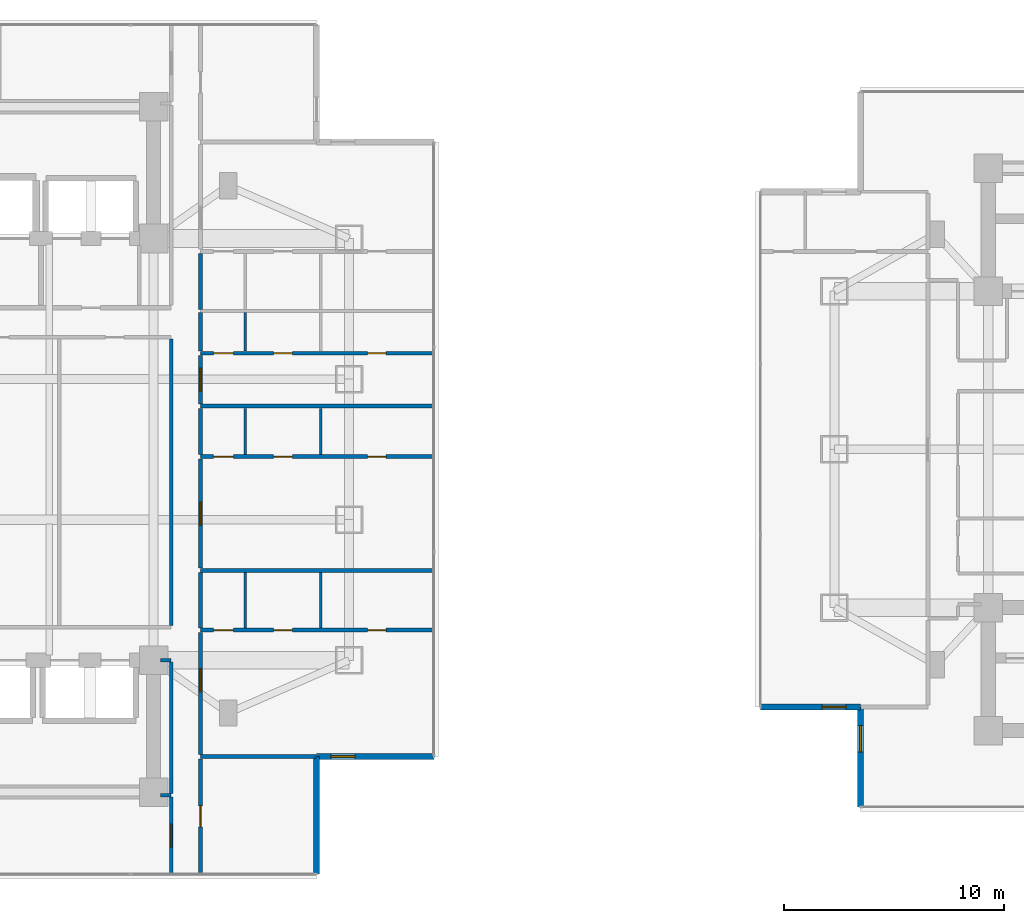
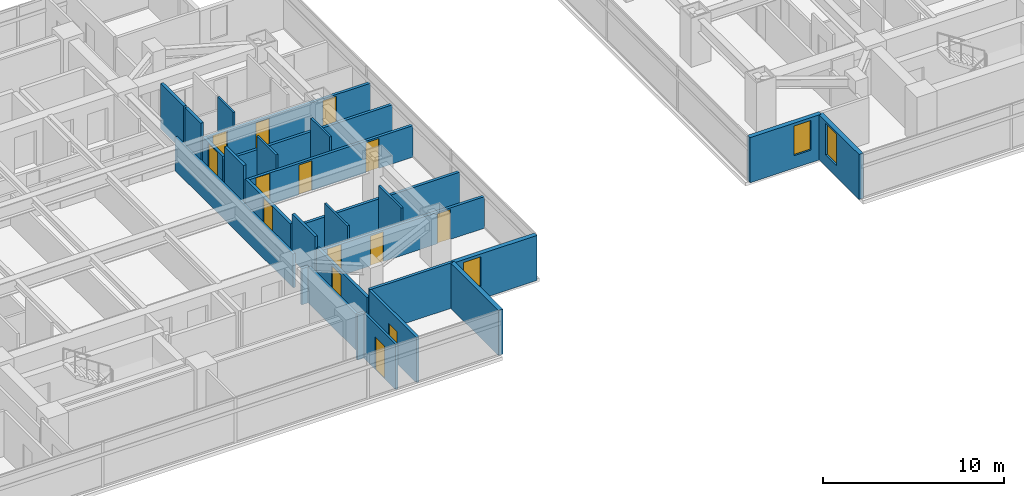
# One storey, part 15 of 24: 28 walls, 14 doors, 3 windows, 17 openings.
"""IFC4 building model written with IfcOpenShell, lengths in metres."""

from ifc_helpers import new_model, si_unit, direction, frame, frame_2d, origin, place, context, subcontext, project, spatial, rectangle, extrude, material, layer, layer_set, type_object, element, fill, save


model = new_model("IFC4")

# Units and contexts
model_context = context("Model", 3, precision=1e-05, world=origin(), true_north=direction((0.0, 1.0)))
body_context = subcontext(model_context, "Body", "Model", "MODEL_VIEW")
ifc_project = project(units=[si_unit("LENGTHUNIT", "METRE"), si_unit("AREAUNIT", "SQUARE_METRE"), si_unit("VOLUMEUNIT", "CUBIC_METRE"), si_unit("PLANEANGLEUNIT", "RADIAN"), si_unit("MASSUNIT", "GRAM", prefix="KILO")], contexts=[model_context])

# Site, building, storey
site_placement = place(None, origin())
site = spatial("IfcSite", under=ifc_project, at=site_placement, CompositionType="ELEMENT")
building_placement = place(site_placement, origin())
building = spatial("IfcBuilding", under=site, at=building_placement, Name="Mirazonda Arch Towers", CompositionType="ELEMENT")
storey_placement = place(building_placement, frame((0.0, 0.0, 71.89990234375)))
storey = spatial("IfcBuildingStorey", under=building, at=storey_placement, Name="L20", CompositionType="ELEMENT", Elevation=71.89990234375)

# Wall, opening, window
ifc_material_1 = material(Name="Precast Concrete C40/50", Category="concrete")
ifc_layer_1 = layer(ifc_material_1, 0.280029296875, Name="WALL-EXT-WALL-280")
ifc_layer_set_1 = layer_set([ifc_layer_1], Name="Precast Concrete C40/50")
wall_type_1 = type_object("IfcWallType", Name="WALL-EXT-WALL-280", PredefinedType="SOLIDWALL", material=ifc_layer_set_1)
wall_1_placement = place(storey_placement, frame((37.419921875, 14.011962890625, 0.0), z_axis=(0.0, 0.0, 1.0), x_axis=(1.0, 0.0, 0.0)))
wall_1 = element("IfcWall", 1, at=wall_1_placement, inside=storey, type_object=wall_type_1, Name="L20 T1 Corner Notch Return Wall WL-L20-T1-CSE1", PredefinedType="SOLIDWALL", context=body_context, shape_type="SweptSolid", body=[
    extrude(rectangle(XDim=5.340087890625, YDim=0.280029296875, at=frame_2d((2.669921875, 0.0))), origin(), (0.0, 0.0, 1.0), 3.0400390625),
])
opening_1_placement = place(wall_1_placement, frame((0.64990234375, 0.0, 0.85009765625)))
opening_1 = element("IfcOpeningElement", 2, at=opening_1_placement, cuts=wall_1, Name="Opening WN-108", PredefinedType="OPENING", context=body_context, shape_type="SweptSolid", body=[
    extrude(rectangle(XDim=1.10009765625, YDim=2.0, at=frame_2d((0.550048828125, 1.0))), frame((0.0, 0.14990234375, 0.0), z_axis=(0.0, -1.0, 0.0), x_axis=(1.0, 0.0, 0.0)), (0.0, 0.0, 1.0), 0.300048828125),
])
ifc_material_2 = material(Name="Insulated Low-E Solar Glass", Category="glass")
window_type_1 = type_object("IfcWindowType", Name="WIN-NOTCH-1100x2000", PartitioningType="SINGLE_PANEL", PredefinedType="WINDOW", material=ifc_material_2)
window_1_placement = place(opening_1_placement, origin())
window_1 = element("IfcWindow", 3, at=window_1_placement, inside=storey, type_object=window_type_1, Name="L20 Punched Facade Window WN-L20-T1-CSE1", OverallHeight=2.0, OverallWidth=1.10009765625, PartitioningType="SINGLE_PANEL", PredefinedType="WINDOW", context=body_context, shape_type="SweptSolid", body=[
    extrude(rectangle(XDim=1.10009765625, YDim=2.0, at=frame_2d((0.550048828125, 1.0))), frame((0.0, 0.030029296875, 0.0), z_axis=(0.0, -1.0, 0.0), x_axis=(1.0, 0.0, 0.0)), (0.0, 0.0, 1.0), 0.06005859375),
])
fill(opening_1, window_1)

# Wall
wall_2_placement = place(storey_placement, frame((37.419921875, 8.672119140625, 0.0), z_axis=(0.0, 0.0, 1.0), x_axis=(0.0, 1.0, 0.0)))
element("IfcWall", 4, at=wall_2_placement, inside=storey, type_object=wall_type_1, Name="L20 T1 Corner Notch Return Wall WL-L20-T1-CSE2", PredefinedType="SOLIDWALL", context=body_context, shape_type="SweptSolid", body=[
    extrude(rectangle(XDim=5.33984375, YDim=0.280029296875, at=frame_2d((2.669921875, 0.0))), origin(), (0.0, 0.0, 1.0), 3.0400390625),
])

# Wall, opening, window
wall_3_placement = place(storey_placement, frame((62.177978515625, 16.270263671875, 0.0), z_axis=(0.0, 0.0, 1.0), x_axis=(0.0, -1.0, 0.0)))
wall_3 = element("IfcWall", 5, at=wall_3_placement, inside=storey, type_object=wall_type_1, Name="L20 T2 Notched SW Corner Wall WL-L20-T2-CSW", PredefinedType="SOLIDWALL", context=body_context, shape_type="SweptSolid", body=[
    extrude(rectangle(XDim=4.546142578125, YDim=0.280029296875, at=frame_2d((2.27294921875, 0.0))), origin(), (0.0, 0.0, 1.0), 3.0400390625),
])
opening_2_placement = place(wall_3_placement, frame((0.85009765625, 0.0, 0.7900390625)))
opening_2 = element("IfcOpeningElement", 6, at=opening_2_placement, cuts=wall_3, Name="Opening WN-122", PredefinedType="OPENING", context=body_context, shape_type="SweptSolid", body=[
    extrude(rectangle(XDim=1.199951171875, YDim=2.10009765625, at=frame_2d((0.60009765625, 1.050048828125))), frame((0.0, 0.14990234375, 0.0), z_axis=(0.0, -1.0, 0.0), x_axis=(1.0, 0.0, 0.0)), (0.0, 0.0, 1.0), 0.300048828125),
])
window_type_2 = type_object("IfcWindowType", Name="WIN-HTL-1200x2100", PartitioningType="SINGLE_PANEL", PredefinedType="WINDOW", material=ifc_material_2)
window_2_placement = place(opening_2_placement, origin())
window_2 = element("IfcWindow", 7, at=window_2_placement, inside=storey, type_object=window_type_2, Name="L20 Punched Facade Window WN-L20-T2-CSW", OverallHeight=2.10009765625, OverallWidth=1.199951171875, PartitioningType="SINGLE_PANEL", PredefinedType="WINDOW", context=body_context, shape_type="SweptSolid", body=[
    extrude(rectangle(XDim=1.199951171875, YDim=2.10009765625, at=frame_2d((0.60009765625, 1.050048828125))), frame((0.0, 0.030029296875, 0.0), z_axis=(0.0, -1.0, 0.0), x_axis=(1.0, 0.0, 0.0)), (0.0, 0.0, 1.0), 0.06005859375),
])
fill(opening_2, window_2)

wall_4_placement = place(storey_placement, frame((57.632080078125, 16.270263671875, 0.0), z_axis=(0.0, 0.0, 1.0), x_axis=(1.0, 0.0, 0.0)))
wall_4 = element("IfcWall", 8, at=wall_4_placement, inside=storey, type_object=wall_type_1, Name="L20 T2 Corner Notch Return Wall WL-L20-T2-CSW2", PredefinedType="SOLIDWALL", context=body_context, shape_type="SweptSolid", body=[
    extrude(rectangle(XDim=4.5458984375, YDim=0.280029296875, at=frame_2d((2.27294921875, 0.0))), origin(), (0.0, 0.0, 1.0), 3.0400390625),
])
opening_3_placement = place(wall_4_placement, frame((2.7958984375, 0.0, 0.85009765625)))
opening_3 = element("IfcOpeningElement", 9, at=opening_3_placement, cuts=wall_4, Name="Opening WN-108", PredefinedType="OPENING", context=body_context, shape_type="SweptSolid", body=[
    extrude(rectangle(XDim=1.10009765625, YDim=2.0, at=frame_2d((0.550048828125, 1.0))), frame((0.0, 0.14990234375, 0.0), z_axis=(0.0, -1.0, 0.0), x_axis=(1.0, 0.0, 0.0)), (0.0, 0.0, 1.0), 0.300048828125),
])
window_3_placement = place(opening_3_placement, origin())
window_3 = element("IfcWindow", 10, at=window_3_placement, inside=storey, type_object=window_type_1, Name="L20 Punched Facade Window WN-L20-T2-CSW2", OverallHeight=2.0, OverallWidth=1.10009765625, PartitioningType="SINGLE_PANEL", PredefinedType="WINDOW", context=body_context, shape_type="SweptSolid", body=[
    extrude(rectangle(XDim=1.10009765625, YDim=2.0, at=frame_2d((0.550048828125, 1.0))), frame((0.0, 0.030029296875, 0.0), z_axis=(0.0, -1.0, 0.0), x_axis=(1.0, 0.0, 0.0)), (0.0, 0.0, 1.0), 0.06005859375),
])
fill(opening_3, window_3)

# Walls
ifc_material_3 = material(Name="Fire-Rated Gypsum Stud Partition")
ifc_layer_2 = layer(ifc_material_3, 0.14990234375, Name="WALL-PART-CORR-150")
ifc_layer_set_2 = layer_set([ifc_layer_2], Name="Fire-Rated Gypsum Stud Partition")
wall_type_2 = type_object("IfcWallType", Name="WALL-PART-CORR-150", PredefinedType="PARTITIONING", material=ifc_layer_set_2)
wall_5_placement = place(storey_placement, frame((30.320068359375, 12.25, 0.0), z_axis=(0.0, 0.0, 1.0), x_axis=(1.0, 0.0, 0.0)))
element("IfcWall", 11, at=wall_5_placement, inside=storey, type_object=wall_type_2, Name="L20 Interior Partition 002", PredefinedType="PARTITIONING", context=body_context, shape_type="SweptSolid", body=[
    extrude(rectangle(XDim=0.47998046875, YDim=0.14990234375, at=frame_2d((0.239990234375, 0.0))), origin(), (0.0, 0.0, 1.0), 3.06005859375),
])
wall_6_placement = place(storey_placement, frame((30.320068359375, 18.39990234375, 0.0), z_axis=(0.0, 0.0, 1.0), x_axis=(1.0, 0.0, 0.0)))
element("IfcWall", 12, at=wall_6_placement, inside=storey, type_object=wall_type_2, Name="L20 Interior Partition 013", PredefinedType="PARTITIONING", context=body_context, shape_type="SweptSolid", body=[
    extrude(rectangle(XDim=0.47998046875, YDim=0.14990234375, at=frame_2d((0.239990234375, 0.0))), origin(), (0.0, 0.0, 1.0), 2.43603515625),
])

# Wall, opening, door
wall_7_placement = place(storey_placement, frame((30.800048828125, 8.672119140625, 0.0), z_axis=(0.0, 0.0, 1.0), x_axis=(0.0, 1.0, 0.0)))
wall_7 = element("IfcWall", 13, at=wall_7_placement, inside=storey, type_object=wall_type_2, Name="L20 Interior Partition 097", PredefinedType="PARTITIONING", context=body_context, shape_type="SweptSolid", body=[
    extrude(rectangle(XDim=3.492919921875, YDim=0.14990234375, at=frame_2d((1.74658203125, 0.0))), origin(), (0.0, 0.0, 1.0), 3.06005859375),
])
opening_4_placement = place(wall_7_placement, frame((1.221435546875, 0.0, 0.0)))
opening_4 = element("IfcOpeningElement", 14, at=opening_4_placement, cuts=wall_7, Name="Opening DR-121", PredefinedType="OPENING", context=body_context, shape_type="SweptSolid", body=[
    extrude(rectangle(XDim=1.050048828125, YDim=2.199951171875, at=frame_2d((0.52490234375, 1.10009765625))), frame((0.0, 0.0849609375, 0.0), z_axis=(0.0, -1.0, 0.0), x_axis=(1.0, 0.0, 0.0)), (0.0, 0.0, 1.0), 0.169921875),
])
ifc_material_4 = material(Name="Architectural Brushed Steel S355", Category="steel")
door_type_1 = type_object("IfcDoorType", Name="DOOR-SUITE-FD60-1050", OperationType="NOTDEFINED", PredefinedType="DOOR", material=ifc_material_4)
door_1_placement = place(opening_4_placement, origin())
door_1 = element("IfcDoor", 15, at=door_1_placement, inside=storey, type_object=door_type_1, Name="L20 South Panoramic Study East Door", OperationType="SINGLE_SWING_LEFT", OverallHeight=2.199951171875, OverallWidth=1.050048828125, PredefinedType="DOOR", context=body_context, shape_type="SweptSolid", body=[
    extrude(rectangle(XDim=1.050048828125, YDim=2.199951171875, at=frame_2d((0.52490234375, 1.10009765625))), frame((0.0, 0.02490234375, 0.0), z_axis=(0.0, -1.0, 0.0), x_axis=(1.0, 0.0, 0.0)), (0.0, 0.0, 1.0), 0.050048828125),
])
fill(opening_4, door_1)

# Walls
wall_8_placement = place(storey_placement, frame((30.800048828125, 12.3349609375, 0.0), z_axis=(0.0, 0.0, 1.0), x_axis=(0.0, 1.0, 0.0)))
element("IfcWall", 16, at=wall_8_placement, inside=storey, type_object=wall_type_2, Name="L20 Interior Partition 098", PredefinedType="PARTITIONING", context=body_context, shape_type="SweptSolid", body=[
    extrude(rectangle(XDim=5.97998046875, YDim=0.14990234375, at=frame_2d((2.989990234375, 0.0))), origin(), (0.0, 0.0, 1.0), 2.43603515625),
])
wall_9_placement = place(storey_placement, frame((30.800048828125, 19.985107421875, 0.0), z_axis=(0.0, 0.0, 1.0), x_axis=(0.0, 1.0, 0.0)))
element("IfcWall", 17, at=wall_9_placement, inside=storey, type_object=wall_type_2, Name="L20 Interior Partition 099", PredefinedType="PARTITIONING", context=body_context, shape_type="SweptSolid", body=[
    extrude(rectangle(XDim=13.02978515625, YDim=0.14990234375, at=frame_2d((6.514892578125, 0.0))), origin(), (0.0, 0.0, 1.0), 2.279052734375),
])
ifc_material_5 = material(Name="Fire-Rated Gypsum Twin-Stud Assembly")
ifc_layer_3 = layer(ifc_material_5, 0.179931640625, Name="WALL-PART-DEMISE-180")
ifc_layer_set_3 = layer_set([ifc_layer_3], Name="Fire-Rated Gypsum Twin-Stud Assembly")
wall_type_3 = type_object("IfcWallType", Name="WALL-PART-DEMISE-180", PredefinedType="PARTITIONING", material=ifc_layer_set_3)
wall_10_placement = place(storey_placement, frame((32.139892578125, 14.011962890625, 0.0), z_axis=(0.0, 0.0, 1.0), x_axis=(1.0, 0.0, 0.0)))
element("IfcWall", 18, at=wall_10_placement, inside=storey, type_object=wall_type_3, Name="L20 Interior Partition 005", PredefinedType="PARTITIONING", context=body_context, shape_type="SweptSolid", body=[
    extrude(rectangle(XDim=5.260009765625, YDim=0.179931640625, at=frame_2d((2.6298828125, 0.0))), origin(), (0.0, 0.0, 1.0), 3.06005859375),
])

# Wall, openings, doors
wall_11_placement = place(storey_placement, frame((32.139892578125, 19.77099609375, 0.0), z_axis=(0.0, 0.0, 1.0), x_axis=(1.0, 0.0, 0.0)))
wall_11 = element("IfcWall", 19, at=wall_11_placement, inside=storey, type_object=wall_type_3, Name="L20 Interior Partition 016", PredefinedType="PARTITIONING", context=body_context, shape_type="SweptSolid", body=[
    extrude(rectangle(XDim=10.6201171875, YDim=0.179931640625, at=frame_2d((5.31005859375, 0.0))), origin(), (0.0, 0.0, 1.0), 2.125),
])
opening_5_placement = place(wall_11_placement, frame((7.60107421875, 0.0, 0.0)))
opening_5 = element("IfcOpeningElement", 20, at=opening_5_placement, cuts=wall_11, Name="Opening DR-128", PredefinedType="OPENING", context=body_context, shape_type="SweptSolid", body=[
    extrude(rectangle(XDim=0.85009765625, YDim=2.010009765625, at=frame_2d((0.425048828125, 1.0048828125))), frame((0.0, 0.099853515625, 0.0), z_axis=(0.0, -1.0, 0.0), x_axis=(1.0, 0.0, 0.0)), (0.0, 0.0, 1.0), 0.199951171875),
])
opening_6_placement = place(wall_11_placement, frame((3.3310546875, 0.0, 0.0)))
opening_6 = element("IfcOpeningElement", 21, at=opening_6_placement, cuts=wall_11, Name="Opening DR-128", PredefinedType="OPENING", context=body_context, shape_type="SweptSolid", body=[
    extrude(rectangle(XDim=0.85009765625, YDim=2.010009765625, at=frame_2d((0.425048828125, 1.0048828125))), frame((0.0, 0.099853515625, 0.0), z_axis=(0.0, -1.0, 0.0), x_axis=(1.0, 0.0, 0.0)), (0.0, 0.0, 1.0), 0.199951171875),
])
opening_7_placement = place(wall_11_placement, frame((0.590087890625, 0.0, 0.0)))
opening_7 = element("IfcOpeningElement", 22, at=opening_7_placement, cuts=wall_11, Name="Opening DR-120", PredefinedType="OPENING", context=body_context, shape_type="SweptSolid", body=[
    extrude(rectangle(XDim=0.89990234375, YDim=2.10009765625, at=frame_2d((0.449951171875, 1.050048828125))), frame((0.0, 0.099853515625, 0.0), z_axis=(0.0, -1.0, 0.0), x_axis=(1.0, 0.0, 0.0)), (0.0, 0.0, 1.0), 0.199951171875),
])
door_type_2 = type_object("IfcDoorType", Name="DOOR-RISER-FD60-850", OperationType="NOTDEFINED", PredefinedType="DOOR", material=ifc_material_4)
door_2_placement = place(opening_5_placement, origin())
door_2 = element("IfcDoor", 23, at=door_2_placement, inside=storey, type_object=door_type_2, Name="L20 Residence 1 Principal Bedroom Door", OperationType="SINGLE_SWING_RIGHT", OverallHeight=2.010009765625, OverallWidth=0.85009765625, PredefinedType="DOOR", context=body_context, shape_type="SweptSolid", body=[
    extrude(rectangle(XDim=0.85009765625, YDim=2.010009765625, at=frame_2d((0.425048828125, 1.0048828125))), frame((0.0, 0.02490234375, 0.0), z_axis=(0.0, -1.0, 0.0), x_axis=(1.0, 0.0, 0.0)), (0.0, 0.0, 1.0), 0.050048828125),
])
fill(opening_5, door_2)
door_3_placement = place(opening_6_placement, origin())
door_3 = element("IfcDoor", 24, at=door_3_placement, inside=storey, type_object=door_type_2, Name="L20 Residence 1 Fitted Kitchen Door", OperationType="SINGLE_SWING_LEFT", OverallHeight=2.010009765625, OverallWidth=0.85009765625, PredefinedType="DOOR", context=body_context, shape_type="SweptSolid", body=[
    extrude(rectangle(XDim=0.85009765625, YDim=2.010009765625, at=frame_2d((0.425048828125, 1.0048828125))), frame((0.0, 0.02490234375, 0.0), z_axis=(0.0, -1.0, 0.0), x_axis=(1.0, 0.0, 0.0)), (0.0, 0.0, 1.0), 0.050048828125),
])
fill(opening_6, door_3)
door_type_3 = type_object("IfcDoorType", Name="DOOR-WC-900", OperationType="NOTDEFINED", PredefinedType="DOOR", material=ifc_material_4)
door_4_placement = place(opening_7_placement, origin())
door_4 = element("IfcDoor", 25, at=door_4_placement, inside=storey, type_object=door_type_3, Name="L20 Residence 1 Bathroom Door", OperationType="SINGLE_SWING_RIGHT", OverallHeight=2.10009765625, OverallWidth=0.89990234375, PredefinedType="DOOR", context=body_context, shape_type="SweptSolid", body=[
    extrude(rectangle(XDim=0.89990234375, YDim=2.10009765625, at=frame_2d((0.449951171875, 1.050048828125))), frame((0.0, 0.02490234375, 0.0), z_axis=(0.0, -1.0, 0.0), x_axis=(1.0, 0.0, 0.0)), (0.0, 0.0, 1.0), 0.050048828125),
])
fill(opening_7, door_4)

# Wall
wall_12_placement = place(storey_placement, frame((32.139892578125, 22.490966796875, 0.0), z_axis=(0.0, 0.0, 1.0), x_axis=(1.0, 0.0, 0.0)))
element("IfcWall", 26, at=wall_12_placement, inside=storey, type_object=wall_type_3, Name="L20 Interior Partition 022", PredefinedType="PARTITIONING", context=body_context, shape_type="SweptSolid", body=[
    extrude(rectangle(XDim=10.6201171875, YDim=0.179931640625, at=frame_2d((5.31005859375, 0.0))), origin(), (0.0, 0.0, 1.0), 2.125),
])

# Wall, openings, doors
wall_13_placement = place(storey_placement, frame((32.139892578125, 27.66796875, 0.0), z_axis=(0.0, 0.0, 1.0), x_axis=(1.0, 0.0, 0.0)))
wall_13 = element("IfcWall", 27, at=wall_13_placement, inside=storey, type_object=wall_type_3, Name="L20 Interior Partition 031", PredefinedType="PARTITIONING", context=body_context, shape_type="SweptSolid", body=[
    extrude(rectangle(XDim=10.6201171875, YDim=0.179931640625, at=frame_2d((5.31005859375, 0.0))), origin(), (0.0, 0.0, 1.0), 2.125),
])
opening_8_placement = place(wall_13_placement, frame((7.60107421875, 0.0, 0.0)))
opening_8 = element("IfcOpeningElement", 28, at=opening_8_placement, cuts=wall_13, Name="Opening DR-128", PredefinedType="OPENING", context=body_context, shape_type="SweptSolid", body=[
    extrude(rectangle(XDim=0.85009765625, YDim=2.010009765625, at=frame_2d((0.425048828125, 1.0048828125))), frame((0.0, 0.099853515625, 0.0), z_axis=(0.0, -1.0, 0.0), x_axis=(1.0, 0.0, 0.0)), (0.0, 0.0, 1.0), 0.199951171875),
])
opening_9_placement = place(wall_13_placement, frame((3.3310546875, 0.0, 0.0)))
opening_9 = element("IfcOpeningElement", 29, at=opening_9_placement, cuts=wall_13, Name="Opening DR-128", PredefinedType="OPENING", context=body_context, shape_type="SweptSolid", body=[
    extrude(rectangle(XDim=0.85009765625, YDim=2.010009765625, at=frame_2d((0.425048828125, 1.0048828125))), frame((0.0, 0.099853515625, 0.0), z_axis=(0.0, -1.0, 0.0), x_axis=(1.0, 0.0, 0.0)), (0.0, 0.0, 1.0), 0.199951171875),
])
opening_10_placement = place(wall_13_placement, frame((0.590087890625, 0.0, 0.0)))
opening_10 = element("IfcOpeningElement", 30, at=opening_10_placement, cuts=wall_13, Name="Opening DR-120", PredefinedType="OPENING", context=body_context, shape_type="SweptSolid", body=[
    extrude(rectangle(XDim=0.89990234375, YDim=2.10009765625, at=frame_2d((0.449951171875, 1.050048828125))), frame((0.0, 0.099853515625, 0.0), z_axis=(0.0, -1.0, 0.0), x_axis=(1.0, 0.0, 0.0)), (0.0, 0.0, 1.0), 0.199951171875),
])
door_5_placement = place(opening_8_placement, origin())
door_5 = element("IfcDoor", 31, at=door_5_placement, inside=storey, type_object=door_type_2, Name="L20 Residence 2 Principal Bedroom Door", OperationType="SINGLE_SWING_RIGHT", OverallHeight=2.010009765625, OverallWidth=0.85009765625, PredefinedType="DOOR", context=body_context, shape_type="SweptSolid", body=[
    extrude(rectangle(XDim=0.85009765625, YDim=2.010009765625, at=frame_2d((0.425048828125, 1.0048828125))), frame((0.0, 0.02490234375, 0.0), z_axis=(0.0, -1.0, 0.0), x_axis=(1.0, 0.0, 0.0)), (0.0, 0.0, 1.0), 0.050048828125),
])
fill(opening_8, door_5)
door_6_placement = place(opening_9_placement, origin())
door_6 = element("IfcDoor", 32, at=door_6_placement, inside=storey, type_object=door_type_2, Name="L20 Residence 2 Fitted Kitchen Door", OperationType="SINGLE_SWING_LEFT", OverallHeight=2.010009765625, OverallWidth=0.85009765625, PredefinedType="DOOR", context=body_context, shape_type="SweptSolid", body=[
    extrude(rectangle(XDim=0.85009765625, YDim=2.010009765625, at=frame_2d((0.425048828125, 1.0048828125))), frame((0.0, 0.02490234375, 0.0), z_axis=(0.0, -1.0, 0.0), x_axis=(1.0, 0.0, 0.0)), (0.0, 0.0, 1.0), 0.050048828125),
])
fill(opening_9, door_6)
door_7_placement = place(opening_10_placement, origin())
door_7 = element("IfcDoor", 33, at=door_7_placement, inside=storey, type_object=door_type_3, Name="L20 Residence 2 Bathroom Door", OperationType="SINGLE_SWING_RIGHT", OverallHeight=2.10009765625, OverallWidth=0.89990234375, PredefinedType="DOOR", context=body_context, shape_type="SweptSolid", body=[
    extrude(rectangle(XDim=0.89990234375, YDim=2.10009765625, at=frame_2d((0.449951171875, 1.050048828125))), frame((0.0, 0.02490234375, 0.0), z_axis=(0.0, -1.0, 0.0), x_axis=(1.0, 0.0, 0.0)), (0.0, 0.0, 1.0), 0.050048828125),
])
fill(opening_10, door_7)

# Wall
wall_14_placement = place(storey_placement, frame((32.139892578125, 29.968017578125, 0.0), z_axis=(0.0, 0.0, 1.0), x_axis=(1.0, 0.0, 0.0)))
element("IfcWall", 34, at=wall_14_placement, inside=storey, type_object=wall_type_3, Name="L20 Interior Partition 033", PredefinedType="PARTITIONING", context=body_context, shape_type="SweptSolid", body=[
    extrude(rectangle(XDim=10.6201171875, YDim=0.179931640625, at=frame_2d((5.31005859375, 0.0))), origin(), (0.0, 0.0, 1.0), 2.125),
])

# Wall, openings, doors
wall_15_placement = place(storey_placement, frame((32.139892578125, 32.3759765625, 0.0), z_axis=(0.0, 0.0, 1.0), x_axis=(1.0, 0.0, 0.0)))
wall_15 = element("IfcWall", 35, at=wall_15_placement, inside=storey, type_object=wall_type_3, Name="L20 Interior Partition 037", PredefinedType="PARTITIONING", context=body_context, shape_type="SweptSolid", body=[
    extrude(rectangle(XDim=10.6201171875, YDim=0.179931640625, at=frame_2d((5.31005859375, 0.0))), origin(), (0.0, 0.0, 1.0), 2.125),
])
opening_11_placement = place(wall_15_placement, frame((7.60107421875, 0.0, 0.0)))
opening_11 = element("IfcOpeningElement", 36, at=opening_11_placement, cuts=wall_15, Name="Opening DR-128", PredefinedType="OPENING", context=body_context, shape_type="SweptSolid", body=[
    extrude(rectangle(XDim=0.85009765625, YDim=2.010009765625, at=frame_2d((0.425048828125, 1.0048828125))), frame((0.0, 0.099853515625, 0.0), z_axis=(0.0, -1.0, 0.0), x_axis=(1.0, 0.0, 0.0)), (0.0, 0.0, 1.0), 0.199951171875),
])
opening_12_placement = place(wall_15_placement, frame((3.3310546875, 0.0, 0.0)))
opening_12 = element("IfcOpeningElement", 37, at=opening_12_placement, cuts=wall_15, Name="Opening DR-128", PredefinedType="OPENING", context=body_context, shape_type="SweptSolid", body=[
    extrude(rectangle(XDim=0.85009765625, YDim=2.010009765625, at=frame_2d((0.425048828125, 1.0048828125))), frame((0.0, 0.099853515625, 0.0), z_axis=(0.0, -1.0, 0.0), x_axis=(1.0, 0.0, 0.0)), (0.0, 0.0, 1.0), 0.199951171875),
])
opening_13_placement = place(wall_15_placement, frame((0.590087890625, 0.0, 0.0)))
opening_13 = element("IfcOpeningElement", 38, at=opening_13_placement, cuts=wall_15, Name="Opening DR-120", PredefinedType="OPENING", context=body_context, shape_type="SweptSolid", body=[
    extrude(rectangle(XDim=0.89990234375, YDim=2.10009765625, at=frame_2d((0.449951171875, 1.050048828125))), frame((0.0, 0.099853515625, 0.0), z_axis=(0.0, -1.0, 0.0), x_axis=(1.0, 0.0, 0.0)), (0.0, 0.0, 1.0), 0.199951171875),
])
door_8_placement = place(opening_11_placement, origin())
door_8 = element("IfcDoor", 39, at=door_8_placement, inside=storey, type_object=door_type_2, Name="L20 Residence 3 Principal Bedroom Door", OperationType="SINGLE_SWING_RIGHT", OverallHeight=2.010009765625, OverallWidth=0.85009765625, PredefinedType="DOOR", context=body_context, shape_type="SweptSolid", body=[
    extrude(rectangle(XDim=0.85009765625, YDim=2.010009765625, at=frame_2d((0.425048828125, 1.0048828125))), frame((0.0, 0.02490234375, 0.0), z_axis=(0.0, -1.0, 0.0), x_axis=(1.0, 0.0, 0.0)), (0.0, 0.0, 1.0), 0.050048828125),
])
fill(opening_11, door_8)
door_9_placement = place(opening_12_placement, origin())
door_9 = element("IfcDoor", 40, at=door_9_placement, inside=storey, type_object=door_type_2, Name="L20 Residence 3 Fitted Kitchen Door", OperationType="SINGLE_SWING_LEFT", OverallHeight=2.010009765625, OverallWidth=0.85009765625, PredefinedType="DOOR", context=body_context, shape_type="SweptSolid", body=[
    extrude(rectangle(XDim=0.85009765625, YDim=2.010009765625, at=frame_2d((0.425048828125, 1.0048828125))), frame((0.0, 0.02490234375, 0.0), z_axis=(0.0, -1.0, 0.0), x_axis=(1.0, 0.0, 0.0)), (0.0, 0.0, 1.0), 0.050048828125),
])
fill(opening_12, door_9)
door_10_placement = place(opening_13_placement, origin())
door_10 = element("IfcDoor", 41, at=door_10_placement, inside=storey, type_object=door_type_3, Name="L20 Residence 3 Bathroom Door", OperationType="SINGLE_SWING_RIGHT", OverallHeight=2.10009765625, OverallWidth=0.89990234375, PredefinedType="DOOR", context=body_context, shape_type="SweptSolid", body=[
    extrude(rectangle(XDim=0.89990234375, YDim=2.10009765625, at=frame_2d((0.449951171875, 1.050048828125))), frame((0.0, 0.02490234375, 0.0), z_axis=(0.0, -1.0, 0.0), x_axis=(1.0, 0.0, 0.0)), (0.0, 0.0, 1.0), 0.050048828125),
])
fill(opening_13, door_10)

# Wall, opening, door
wall_16_placement = place(storey_placement, frame((32.139892578125, 8.672119140625, 0.0), z_axis=(0.0, 0.0, 1.0), x_axis=(0.0, 1.0, 0.0)))
wall_16 = element("IfcWall", 42, at=wall_16_placement, inside=storey, type_object=wall_type_3, Name="L20 Interior Partition 102", PredefinedType="PARTITIONING", context=body_context, shape_type="SweptSolid", body=[
    extrude(rectangle(XDim=5.239990234375, YDim=0.179931640625, at=frame_2d((2.6201171875, 0.0))), origin(), (0.0, 0.0, 1.0), 3.06005859375),
])
opening_14_placement = place(wall_16_placement, frame((2.14501953125, 0.0, 0.0)))
opening_14 = element("IfcOpeningElement", 43, at=opening_14_placement, cuts=wall_16, Name="Opening DR-104", PredefinedType="OPENING", context=body_context, shape_type="SweptSolid", body=[
    extrude(rectangle(XDim=0.949951171875, YDim=2.14990234375, at=frame_2d((0.47509765625, 1.074951171875))), frame((0.0, 0.099853515625, 0.0), z_axis=(0.0, -1.0, 0.0), x_axis=(1.0, 0.0, 0.0)), (0.0, 0.0, 1.0), 0.199951171875),
])
door_type_4 = type_object("IfcDoorType", Name="DOOR-ROOM-950", OperationType="NOTDEFINED", PredefinedType="DOOR", material=ifc_material_4)
door_11_placement = place(opening_14_placement, origin())
door_11 = element("IfcDoor", 44, at=door_11_placement, inside=storey, type_object=door_type_4, Name="L20 South Panoramic Study Alcove East Door", OperationType="SINGLE_SWING_LEFT", OverallHeight=2.14990234375, OverallWidth=0.949951171875, PredefinedType="DOOR", context=body_context, shape_type="SweptSolid", body=[
    extrude(rectangle(XDim=0.949951171875, YDim=2.14990234375, at=frame_2d((0.47509765625, 1.074951171875))), frame((0.0, 0.02490234375, 0.0), z_axis=(0.0, -1.0, 0.0), x_axis=(1.0, 0.0, 0.0)), (0.0, 0.0, 1.0), 0.050048828125),
])
fill(opening_14, door_11)

wall_17_placement = place(storey_placement, frame((32.139892578125, 14.112060546875, 0.0), z_axis=(0.0, 0.0, 1.0), x_axis=(0.0, 1.0, 0.0)))
wall_17 = element("IfcWall", 45, at=wall_17_placement, inside=storey, type_object=wall_type_3, Name="L20 Interior Partition 103", PredefinedType="PARTITIONING", context=body_context, shape_type="SweptSolid", body=[
    extrude(rectangle(XDim=5.558837890625, YDim=0.179931640625, at=frame_2d((2.779296875, 0.0))), origin(), (0.0, 0.0, 1.0), 2.43603515625),
])
opening_15_placement = place(wall_17_placement, frame((2.8544921875, 0.0, 0.0)))
opening_15 = element("IfcOpeningElement", 46, at=opening_15_placement, cuts=wall_17, Name="Opening DR-121", PredefinedType="OPENING", context=body_context, shape_type="SweptSolid", body=[
    extrude(rectangle(XDim=1.050048828125, YDim=2.199951171875, at=frame_2d((0.52490234375, 1.10009765625))), frame((0.0, 0.099853515625, 0.0), z_axis=(0.0, -1.0, 0.0), x_axis=(1.0, 0.0, 0.0)), (0.0, 0.0, 1.0), 0.199951171875),
])
door_12_placement = place(opening_15_placement, origin())
door_12 = element("IfcDoor", 47, at=door_12_placement, inside=storey, type_object=door_type_1, Name="L20 Residence 1 Living & Dining Salon Door", OperationType="SINGLE_SWING_LEFT", OverallHeight=2.199951171875, OverallWidth=1.050048828125, PredefinedType="DOOR", context=body_context, shape_type="SweptSolid", body=[
    extrude(rectangle(XDim=1.050048828125, YDim=2.199951171875, at=frame_2d((0.52490234375, 1.10009765625))), frame((0.0, 0.02490234375, 0.0), z_axis=(0.0, -1.0, 0.0), x_axis=(1.0, 0.0, 0.0)), (0.0, 0.0, 1.0), 0.050048828125),
])
fill(opening_15, door_12)

# Wall
wall_18_placement = place(storey_placement, frame((32.139892578125, 19.87109375, 0.0), z_axis=(0.0, 0.0, 1.0), x_axis=(0.0, 1.0, 0.0)))
element("IfcWall", 48, at=wall_18_placement, inside=storey, type_object=wall_type_3, Name="L20 Interior Partition 104", PredefinedType="PARTITIONING", context=body_context, shape_type="SweptSolid", body=[
    extrude(rectangle(XDim=2.52001953125, YDim=0.179931640625, at=frame_2d((1.260009765625, 0.0))), origin(), (0.0, 0.0, 1.0), 3.06005859375),
])

# Wall, opening, door
wall_19_placement = place(storey_placement, frame((32.139892578125, 22.591064453125, 0.0), z_axis=(0.0, 0.0, 1.0), x_axis=(0.0, 1.0, 0.0)))
wall_19 = element("IfcWall", 49, at=wall_19_placement, inside=storey, type_object=wall_type_3, Name="L20 Interior Partition 105", PredefinedType="PARTITIONING", context=body_context, shape_type="SweptSolid", body=[
    extrude(rectangle(XDim=4.97705078125, YDim=0.179931640625, at=frame_2d((2.488525390625, 0.0))), origin(), (0.0, 0.0, 1.0), 2.279052734375),
])
opening_16_placement = place(wall_19_placement, frame((1.96337890625, 0.0, 0.0)))
opening_16 = element("IfcOpeningElement", 50, at=opening_16_placement, cuts=wall_19, Name="Opening DR-121", PredefinedType="OPENING", context=body_context, shape_type="SweptSolid", body=[
    extrude(rectangle(XDim=1.050048828125, YDim=2.199951171875, at=frame_2d((0.52490234375, 1.10009765625))), frame((0.0, 0.099853515625, 0.0), z_axis=(0.0, -1.0, 0.0), x_axis=(1.0, 0.0, 0.0)), (0.0, 0.0, 1.0), 0.199951171875),
])
door_13_placement = place(opening_16_placement, origin())
door_13 = element("IfcDoor", 51, at=door_13_placement, inside=storey, type_object=door_type_1, Name="L20 Residence 2 Living & Dining Salon Door", OperationType="SINGLE_SWING_LEFT", OverallHeight=2.199951171875, OverallWidth=1.050048828125, PredefinedType="DOOR", context=body_context, shape_type="SweptSolid", body=[
    extrude(rectangle(XDim=1.050048828125, YDim=2.199951171875, at=frame_2d((0.52490234375, 1.10009765625))), frame((0.0, 0.02490234375, 0.0), z_axis=(0.0, -1.0, 0.0), x_axis=(1.0, 0.0, 0.0)), (0.0, 0.0, 1.0), 0.050048828125),
])
fill(opening_16, door_13)

# Wall
wall_20_placement = place(storey_placement, frame((32.139892578125, 27.76806640625, 0.0), z_axis=(0.0, 0.0, 1.0), x_axis=(0.0, 1.0, 0.0)))
element("IfcWall", 52, at=wall_20_placement, inside=storey, type_object=wall_type_3, Name="L20 Interior Partition 106", PredefinedType="PARTITIONING", context=body_context, shape_type="SweptSolid", body=[
    extrude(rectangle(XDim=2.099853515625, YDim=0.179931640625, at=frame_2d((1.0498046875, 0.0))), origin(), (0.0, 0.0, 1.0), 3.06005859375),
])

# Wall, opening, door
wall_21_placement = place(storey_placement, frame((32.139892578125, 30.068115234375, 0.0), z_axis=(0.0, 0.0, 1.0), x_axis=(0.0, 1.0, 0.0)))
wall_21 = element("IfcWall", 53, at=wall_21_placement, inside=storey, type_object=wall_type_3, Name="L20 Interior Partition 107", PredefinedType="PARTITIONING", context=body_context, shape_type="SweptSolid", body=[
    extrude(rectangle(XDim=2.207763671875, YDim=0.179931640625, at=frame_2d((1.10400390625, 0.0))), origin(), (0.0, 0.0, 1.0), 2.279052734375),
])
opening_17_placement = place(wall_21_placement, frame((0.5791015625, 0.0, 0.0)))
opening_17 = element("IfcOpeningElement", 54, at=opening_17_placement, cuts=wall_21, Name="Opening DR-121", PredefinedType="OPENING", context=body_context, shape_type="SweptSolid", body=[
    extrude(rectangle(XDim=1.050048828125, YDim=2.199951171875, at=frame_2d((0.52490234375, 1.10009765625))), frame((0.0, 0.099853515625, 0.0), z_axis=(0.0, -1.0, 0.0), x_axis=(1.0, 0.0, 0.0)), (0.0, 0.0, 1.0), 0.199951171875),
])
door_14_placement = place(opening_17_placement, origin())
door_14 = element("IfcDoor", 55, at=door_14_placement, inside=storey, type_object=door_type_1, Name="L20 Residence 3 Living & Dining Salon Door", OperationType="SINGLE_SWING_LEFT", OverallHeight=2.199951171875, OverallWidth=1.050048828125, PredefinedType="DOOR", context=body_context, shape_type="SweptSolid", body=[
    extrude(rectangle(XDim=1.050048828125, YDim=2.199951171875, at=frame_2d((0.52490234375, 1.10009765625))), frame((0.0, 0.02490234375, 0.0), z_axis=(0.0, -1.0, 0.0), x_axis=(1.0, 0.0, 0.0)), (0.0, 0.0, 1.0), 0.050048828125),
])
fill(opening_17, door_14)

# Walls
wall_22_placement = place(storey_placement, frame((32.139892578125, 32.47607421875, 0.0), z_axis=(0.0, 0.0, 1.0), x_axis=(0.0, 1.0, 0.0)))
element("IfcWall", 56, at=wall_22_placement, inside=storey, type_object=wall_type_3, Name="L20 Interior Partition 108", PredefinedType="PARTITIONING", context=body_context, shape_type="SweptSolid", body=[
    extrude(rectangle(XDim=1.747314453125, YDim=0.179931640625, at=frame_2d((0.87353515625, 0.0))), origin(), (0.0, 0.0, 1.0), 3.06005859375),
])
wall_23_placement = place(storey_placement, frame((32.139892578125, 34.368408203125, 0.0), z_axis=(0.0, 0.0, 1.0), x_axis=(0.0, 1.0, 0.0)))
element("IfcWall", 57, at=wall_23_placement, inside=storey, type_object=wall_type_3, Name="L20 Interior Partition 109", PredefinedType="PARTITIONING", context=body_context, shape_type="SweptSolid", body=[
    extrude(rectangle(XDim=2.547607421875, YDim=0.179931640625, at=frame_2d((1.27392578125, 0.0))), origin(), (0.0, 0.0, 1.0), 3.06005859375),
])
ifc_material_6 = material(Name="Acoustic Fire-Rated Gypsum Partition")
ifc_layer_4 = layer(ifc_material_6, 0.125, Name="WALL-PART-UNIT-125")
ifc_layer_set_4 = layer_set([ifc_layer_4], Name="Acoustic Fire-Rated Gypsum Partition")
wall_type_4 = type_object("IfcWallType", Name="WALL-PART-UNIT-125", PredefinedType="PARTITIONING", material=ifc_layer_set_4)
wall_24_placement = place(storey_placement, frame((34.179931640625, 19.87109375, 0.0), z_axis=(0.0, 0.0, 1.0), x_axis=(0.0, 1.0, 0.0)))
element("IfcWall", 58, at=wall_24_placement, inside=storey, type_object=wall_type_4, Name="L20 Interior Partition 112", PredefinedType="PARTITIONING", context=body_context, shape_type="SweptSolid", body=[
    extrude(rectangle(XDim=2.52001953125, YDim=0.125, at=frame_2d((1.260009765625, 0.0))), origin(), (0.0, 0.0, 1.0), 3.06005859375),
])
wall_25_placement = place(storey_placement, frame((34.179931640625, 27.76806640625, 0.0), z_axis=(0.0, 0.0, 1.0), x_axis=(0.0, 1.0, 0.0)))
element("IfcWall", 59, at=wall_25_placement, inside=storey, type_object=wall_type_4, Name="L20 Interior Partition 113", PredefinedType="PARTITIONING", context=body_context, shape_type="SweptSolid", body=[
    extrude(rectangle(XDim=2.099853515625, YDim=0.125, at=frame_2d((1.0498046875, 0.0))), origin(), (0.0, 0.0, 1.0), 3.06005859375),
])
wall_26_placement = place(storey_placement, frame((34.179931640625, 32.47607421875, 0.0), z_axis=(0.0, 0.0, 1.0), x_axis=(0.0, 1.0, 0.0)))
element("IfcWall", 60, at=wall_26_placement, inside=storey, type_object=wall_type_4, Name="L20 Interior Partition 114", PredefinedType="PARTITIONING", context=body_context, shape_type="SweptSolid", body=[
    extrude(rectangle(XDim=1.747314453125, YDim=0.125, at=frame_2d((0.87353515625, 0.0))), origin(), (0.0, 0.0, 1.0), 3.06005859375),
])
wall_27_placement = place(storey_placement, frame((37.612060546875, 19.87109375, 0.0), z_axis=(0.0, 0.0, 1.0), x_axis=(0.0, 1.0, 0.0)))
element("IfcWall", 61, at=wall_27_placement, inside=storey, type_object=wall_type_4, Name="L20 Interior Partition 116", PredefinedType="PARTITIONING", context=body_context, shape_type="SweptSolid", body=[
    extrude(rectangle(XDim=2.52001953125, YDim=0.125, at=frame_2d((1.260009765625, 0.0))), origin(), (0.0, 0.0, 1.0), 3.06005859375),
])
wall_28_placement = place(storey_placement, frame((37.612060546875, 27.76806640625, 0.0), z_axis=(0.0, 0.0, 1.0), x_axis=(0.0, 1.0, 0.0)))
element("IfcWall", 62, at=wall_28_placement, inside=storey, type_object=wall_type_4, Name="L20 Interior Partition 117", PredefinedType="PARTITIONING", context=body_context, shape_type="SweptSolid", body=[
    extrude(rectangle(XDim=2.099853515625, YDim=0.125, at=frame_2d((1.0498046875, 0.0))), origin(), (0.0, 0.0, 1.0), 3.06005859375),
])

save(model, "model.ifc")
